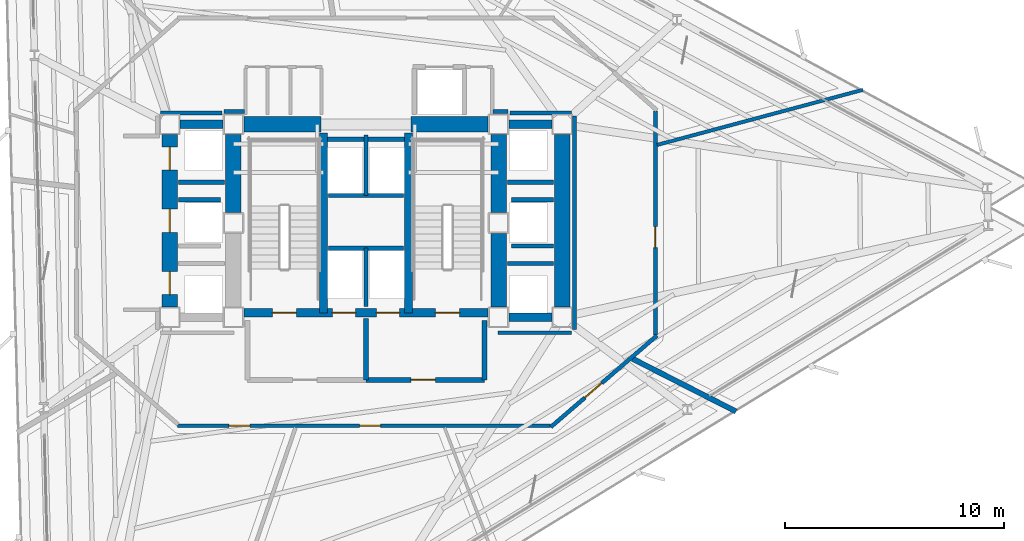
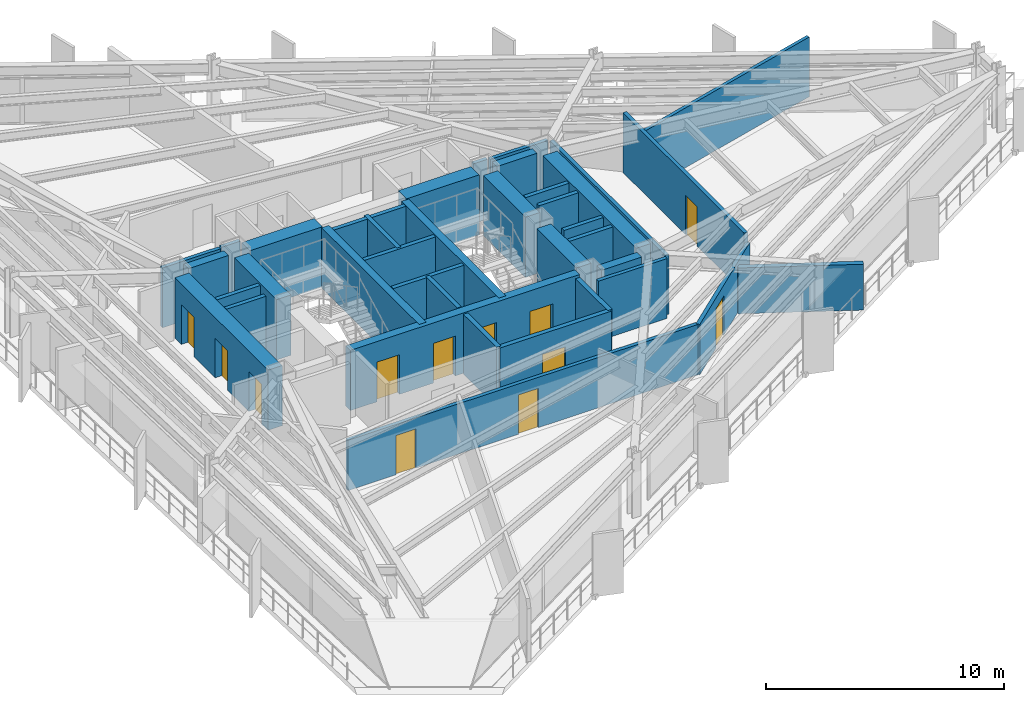
# One storey, part 8 of 14: 38 walls, 12 doors, 12 openings.
"""IFC4 building model written with IfcOpenShell, lengths in metres."""

from ifc_helpers import new_model, si_unit, direction, frame, frame_2d, origin, place, context, subcontext, project, spatial, rectangle, extrude, material, layer, layer_set, type_object, element, fill, save


model = new_model("IFC4")

# Units and contexts
model_context = context("Model", 3, precision=1e-05, world=origin(), true_north=direction((0.0, 1.0)))
body_context = subcontext(model_context, "Body", "Model", "MODEL_VIEW")
ifc_project = project(units=[si_unit("LENGTHUNIT", "METRE"), si_unit("AREAUNIT", "SQUARE_METRE"), si_unit("VOLUMEUNIT", "CUBIC_METRE"), si_unit("PLANEANGLEUNIT", "RADIAN"), si_unit("MASSUNIT", "GRAM", prefix="KILO")], contexts=[model_context])

# Site, building, storey
site_placement = place(None, origin())
site = spatial("IfcSite", under=ifc_project, at=site_placement, CompositionType="ELEMENT")
building_placement = place(site_placement, origin())
building = spatial("IfcBuilding", under=site, at=building_placement, Name="Rocaltana Carrier Exchange", CompositionType="ELEMENT")
storey_placement = place(building_placement, frame((0.0, 0.0, 32.320068359375)))
storey = spatial("IfcBuildingStorey", under=building, at=storey_placement, Name="L10", CompositionType="ELEMENT", Elevation=32.320068359375)

# Walls
ifc_material_1 = material(Name="Double Acoustic Gypsum Partition", Category="gypsum")
ifc_layer_1 = layer(ifc_material_1, 0.159912109375)
ifc_layer_set_1 = layer_set([ifc_layer_1], Name="Double Acoustic Gypsum Partition")
wall_type_1 = type_object("IfcWallType", Name="Acoustic Studio Partition 160 EI60", PredefinedType="PARTITIONING", material=ifc_layer_set_1)
wall_1_placement = place(storey_placement, frame((13.280029296875, 3.558349609375, 0.0), z_axis=(0.0, 0.0, 1.0), x_axis=(0.965926641133, 0.258816004043, 0.0)))
element("IfcWall", 1, at=wall_1_placement, inside=storey, type_object=wall_type_1, Name="L10 Suite Divider Wall D5", PredefinedType="PARTITIONING", context=body_context, shape_type="SweptSolid", body=[
    extrude(rectangle(XDim=9.7216796875, YDim=0.159912109375, at=frame_2d((4.86083984375, 0.0))), origin(), (0.0, 0.0, 1.0), 3.072998046875),
])
ifc_material_2 = material(Name="Concrete C50/60", Category="concrete")
ifc_layer_2 = layer(ifc_material_2, 0.35009765625)
ifc_layer_set_2 = layer_set([ifc_layer_2], Name="Concrete C50/60")
wall_type_2 = type_object("IfcWallType", Name="Core Internal Shear Wall 350", PredefinedType="SHEAR", material=ifc_layer_set_2)
for number, where, z_axis, x_axis, name in (
    (2, (-1.93994140625, -4.10009765625, 0.0), (0.0, 0.0, 1.0), (0.0, 1.0, 0.0), "L10 Core Shear Wall CW-STW"),
    (3, (1.93994140625, -4.10009765625, 0.0), (0.0, 0.0, 1.0), (0.0, 1.0, 0.0), "L10 Core Shear Wall CW-STE"),
):
    element("IfcWall", number, at=place(storey_placement, frame(where, z_axis=z_axis, x_axis=x_axis)), inside=storey, type_object=wall_type_2, Name=name, PredefinedType="SHEAR", context=body_context, shape_type="SweptSolid", body=[
        extrude(rectangle(XDim=8.2001953125, YDim=0.35009765625, at=frame_2d((4.10009765625, 0.0))), origin(), (0.0, 0.0, 1.0), 3.097900390625),
    ])

# Wall, openings, doors
ifc_material_3 = material(Name="Concrete C50/60", Category="concrete")
ifc_layer_3 = layer(ifc_material_3, 0.39990234375)
ifc_layer_set_3 = layer_set([ifc_layer_3], Name="Concrete C50/60")
wall_type_3 = type_object("IfcWallType", Name="Core Internal Shear Wall 400", PredefinedType="SHEAR", material=ifc_layer_set_3)
wall_2_placement = place(storey_placement, frame((-5.574951171875, -4.10009765625, 0.0), z_axis=(0.0, 0.0, 1.0), x_axis=(1.0, 0.0, 0.0)))
wall_2 = element("IfcWall", 4, at=wall_2_placement, inside=storey, type_object=wall_type_3, Name="L10 Core Shear Wall CW-S", PredefinedType="SHEAR", context=body_context, shape_type="SweptSolid", body=[
    extrude(rectangle(XDim=11.14990234375, YDim=0.39990234375, at=frame_2d((5.574951171875, 0.0))), origin(), (0.0, 0.0, 1.0), 3.097900390625),
])
opening_1_placement = place(wall_2_placement, frame((1.304931640625, 0.0, 0.0)))
opening_1 = element("IfcOpeningElement", 5, at=opening_1_placement, cuts=wall_2, Name="Opening D-ST110", PredefinedType="OPENING", context=body_context, shape_type="SweptSolid", body=[
    extrude(rectangle(XDim=1.10009765625, YDim=2.0400390625, at=frame_2d((0.550048828125, 1.02001953125))), frame((0.0, 0.2099609375, 0.0), z_axis=(0.0, -1.0, 0.0), x_axis=(1.0, 0.0, 0.0)), (0.0, 0.0, 1.0), 0.419921875),
])
opening_2_placement = place(wall_2_placement, frame((8.7451171875, 0.0, 0.0)))
opening_2 = element("IfcOpeningElement", 6, at=opening_2_placement, cuts=wall_2, Name="Opening D-ST110", PredefinedType="OPENING", context=body_context, shape_type="SweptSolid", body=[
    extrude(rectangle(XDim=1.10009765625, YDim=2.0400390625, at=frame_2d((0.550048828125, 1.02001953125))), frame((0.0, 0.2099609375, 0.0), z_axis=(0.0, -1.0, 0.0), x_axis=(1.0, 0.0, 0.0)), (0.0, 0.0, 1.0), 0.419921875),
])
opening_3_placement = place(wall_2_placement, frame((4.044921875, 0.0, 0.0)))
opening_3 = element("IfcOpeningElement", 7, at=opening_3_placement, cuts=wall_2, Name="Opening LD-110", PredefinedType="OPENING", context=body_context, shape_type="SweptSolid", body=[
    extrude(rectangle(XDim=1.06005859375, YDim=2.0400390625, at=frame_2d((0.530029296875, 1.02001953125))), frame((0.0, 0.2099609375, 0.0), z_axis=(0.0, -1.0, 0.0), x_axis=(1.0, 0.0, 0.0)), (0.0, 0.0, 1.0), 0.419921875),
])
opening_4_placement = place(wall_2_placement, frame((6.044921875, 0.0, 0.0)))
opening_4 = element("IfcOpeningElement", 8, at=opening_4_placement, cuts=wall_2, Name="Opening LD-110", PredefinedType="OPENING", context=body_context, shape_type="SweptSolid", body=[
    extrude(rectangle(XDim=1.06005859375, YDim=2.0400390625, at=frame_2d((0.530029296875, 1.02001953125))), frame((0.0, 0.2099609375, 0.0), z_axis=(0.0, -1.0, 0.0), x_axis=(1.0, 0.0, 0.0)), (0.0, 0.0, 1.0), 0.419921875),
])
ifc_material_4 = material(Name="Hollow Metal Fire Door Assembly", Category="steel")
door_type_1 = type_object("IfcDoorType", Name="Exit Stair Fire Door 1100x2040 FD90S", OperationType="NOTDEFINED", PredefinedType="DOOR", material=ifc_material_4)
door_1_placement = place(opening_1_placement, origin())
door_1 = element("IfcDoor", 9, at=door_1_placement, inside=storey, type_object=door_type_1, Name="L10 Exit Stair ST1 Fire Door", OperationType="SINGLE_SWING_RIGHT", OverallHeight=2.0400390625, OverallWidth=1.10009765625, PredefinedType="DOOR", context=body_context, shape_type="SweptSolid", body=[
    extrude(rectangle(XDim=1.10009765625, YDim=2.0400390625, at=frame_2d((0.550048828125, 1.02001953125))), frame((0.0, 0.02490234375, 0.0), z_axis=(0.0, -1.0, 0.0), x_axis=(1.0, 0.0, 0.0)), (0.0, 0.0, 1.0), 0.050048828125),
])
fill(opening_1, door_1)
door_2_placement = place(opening_2_placement, origin())
door_2 = element("IfcDoor", 10, at=door_2_placement, inside=storey, type_object=door_type_1, Name="L10 Exit Stair ST2 Fire Door", OperationType="SINGLE_SWING_LEFT", OverallHeight=2.0400390625, OverallWidth=1.10009765625, PredefinedType="DOOR", context=body_context, shape_type="SweptSolid", body=[
    extrude(rectangle(XDim=1.10009765625, YDim=2.0400390625, at=frame_2d((0.550048828125, 1.02001953125))), frame((0.0, 0.02490234375, 0.0), z_axis=(0.0, -1.0, 0.0), x_axis=(1.0, 0.0, 0.0)), (0.0, 0.0, 1.0), 0.050048828125),
])
fill(opening_2, door_2)
ifc_material_5 = material(Name="Brushed Stainless Sliding Door Leaf", Category="steel")
door_type_2 = type_object("IfcDoorType", Name="Lift Landing Sliding Door 1060x2040", OperationType="NOTDEFINED", PredefinedType="DOOR", material=ifc_material_5)
door_3_placement = place(opening_3_placement, origin())
door_3 = element("IfcDoor", 11, at=door_3_placement, inside=storey, type_object=door_type_2, Name="L10 Firefighting Lift FFL1 Landing Door", OperationType="SLIDING_TO_LEFT", OverallHeight=2.0400390625, OverallWidth=1.06005859375, PredefinedType="DOOR", context=body_context, shape_type="SweptSolid", body=[
    extrude(rectangle(XDim=1.06005859375, YDim=2.0400390625, at=frame_2d((0.530029296875, 1.02001953125))), frame((0.0, 0.02490234375, 0.0), z_axis=(0.0, -1.0, 0.0), x_axis=(1.0, 0.0, 0.0)), (0.0, 0.0, 1.0), 0.050048828125),
])
fill(opening_3, door_3)
door_4_placement = place(opening_4_placement, origin())
door_4 = element("IfcDoor", 12, at=door_4_placement, inside=storey, type_object=door_type_2, Name="L10 Firefighting Lift FFL2 Landing Door", OperationType="SLIDING_TO_RIGHT", OverallHeight=2.0400390625, OverallWidth=1.06005859375, PredefinedType="DOOR", context=body_context, shape_type="SweptSolid", body=[
    extrude(rectangle(XDim=1.06005859375, YDim=2.0400390625, at=frame_2d((0.530029296875, 1.02001953125))), frame((0.0, 0.02490234375, 0.0), z_axis=(0.0, -1.0, 0.0), x_axis=(1.0, 0.0, 0.0)), (0.0, 0.0, 1.0), 0.050048828125),
])
fill(opening_4, door_4)

# Walls
for number, where, z_axis, x_axis, name in (
    (13, (-8.47509765625, 4.5, 0.0), (0.0, 0.0, 1.0), (1.0, 0.0, 0.0), "L10 Core Shear Wall CW-WWN"),
    (14, (6.52490234375, 4.5, 0.0), (0.0, 0.0, 1.0), (1.0, 0.0, 0.0), "L10 Core Shear Wall CW-EWN"),
    (15, (6.52490234375, -4.300048828125, 0.0), (0.0, 0.0, 1.0), (1.0, 0.0, 0.0), "L10 Core Shear Wall CW-EWS"),
):
    element("IfcWall", number, at=place(storey_placement, frame(where, z_axis=z_axis, x_axis=x_axis)), inside=storey, type_object=wall_type_3, Name=name, PredefinedType="SHEAR", context=body_context, shape_type="SweptSolid", body=[
        extrude(rectangle(XDim=1.9501953125, YDim=0.39990234375, at=frame_2d((0.97509765625, 0.0))), origin(), (0.0, 0.0, 1.0), 3.097900390625),
    ])
ifc_material_6 = material(Name="Concrete C60/75", Category="concrete")
ifc_layer_4 = layer(ifc_material_6, 0.699951171875)
ifc_layer_set_4 = layer_set([ifc_layer_4], Name="Concrete C60/75")
wall_type_4 = type_object("IfcWallType", Name="Core Shear Wall 700", PredefinedType="SHEAR", material=ifc_layer_set_4)
for number, where, z_axis, x_axis, name in (
    (16, (-6.050048828125, 0.47509765625, 0.0), (0.0, 0.0, 1.0), (0.0, 1.0, 0.0), "L10 Core Shear Wall CW-WN"),
    (17, (6.050048828125, 0.47509765625, 0.0), (0.0, 0.0, 1.0), (0.0, 1.0, 0.0), "L10 Core Shear Wall CW-EN"),
):
    element("IfcWall", number, at=place(storey_placement, frame(where, z_axis=z_axis, x_axis=x_axis)), inside=storey, type_object=wall_type_4, Name=name, PredefinedType="SHEAR", context=body_context, shape_type="SweptSolid", body=[
        extrude(rectangle(XDim=3.5498046875, YDim=0.699951171875, at=frame_2d((1.77490234375, 0.0))), origin(), (0.0, 0.0, 1.0), 3.097900390625),
    ])
wall_3_placement = place(storey_placement, frame((6.050048828125, -3.824951171875, 0.0), z_axis=(0.0, 0.0, 1.0), x_axis=(0.0, 1.0, 0.0)))
element("IfcWall", 18, at=wall_3_placement, inside=storey, type_object=wall_type_4, Name="L10 Core Shear Wall CW-ES", PredefinedType="SHEAR", context=body_context, shape_type="SweptSolid", body=[
    extrude(rectangle(XDim=3.349853515625, YDim=0.699951171875, at=frame_2d((1.6748046875, 0.0))), origin(), (0.0, 0.0, 1.0), 3.097900390625),
])
for number, where, z_axis, x_axis, name in (
    (19, (-5.574951171875, 4.5, 0.0), (0.0, 0.0, 1.0), (1.0, 0.0, 0.0), "L10 Core Shear Wall CW-N1"),
    (20, (2.050048828125, 4.5, 0.0), (0.0, 0.0, 1.0), (1.0, 0.0, 0.0), "L10 Core Shear Wall CW-N2"),
):
    element("IfcWall", number, at=place(storey_placement, frame(where, z_axis=z_axis, x_axis=x_axis)), inside=storey, type_object=wall_type_4, Name=name, PredefinedType="SHEAR", context=body_context, shape_type="SweptSolid", body=[
        extrude(rectangle(XDim=3.52490234375, YDim=0.699951171875, at=frame_2d((1.762451171875, 0.0))), origin(), (0.0, 0.0, 1.0), 3.097900390625),
    ])

# Wall, openings, doors
wall_4_placement = place(storey_placement, frame((-8.949951171875, -3.824951171875, 0.0), z_axis=(0.0, 0.0, 1.0), x_axis=(0.0, 1.0, 0.0)))
wall_4 = element("IfcWall", 21, at=wall_4_placement, inside=storey, type_object=wall_type_4, Name="L10 Core Shear Wall CW-WW", PredefinedType="SHEAR", context=body_context, shape_type="SweptSolid", body=[
    extrude(rectangle(XDim=7.849853515625, YDim=0.699951171875, at=frame_2d((3.9248046875, 0.0))), origin(), (0.0, 0.0, 1.0), 3.097900390625),
])
opening_5_placement = place(wall_4_placement, frame((0.550048828125, 0.0, 0.0)))
opening_5 = element("IfcOpeningElement", 22, at=opening_5_placement, cuts=wall_4, Name="Opening LD-110", PredefinedType="OPENING", context=body_context, shape_type="SweptSolid", body=[
    extrude(rectangle(XDim=1.06005859375, YDim=2.0400390625, at=frame_2d((0.530029296875, 1.02001953125))), frame((0.0, 0.35986328125, 0.0), z_axis=(0.0, -1.0, 0.0), x_axis=(1.0, 0.0, 0.0)), (0.0, 0.0, 1.0), 0.719970703125),
])
opening_6_placement = place(wall_4_placement, frame((3.39501953125, 0.0, 0.0)))
opening_6 = element("IfcOpeningElement", 23, at=opening_6_placement, cuts=wall_4, Name="Opening LD-110", PredefinedType="OPENING", context=body_context, shape_type="SweptSolid", body=[
    extrude(rectangle(XDim=1.06005859375, YDim=2.0400390625, at=frame_2d((0.530029296875, 1.02001953125))), frame((0.0, 0.35986328125, 0.0), z_axis=(0.0, -1.0, 0.0), x_axis=(1.0, 0.0, 0.0)), (0.0, 0.0, 1.0), 0.719970703125),
])
opening_7_placement = place(wall_4_placement, frame((6.22998046875, 0.0, 0.0)))
opening_7 = element("IfcOpeningElement", 24, at=opening_7_placement, cuts=wall_4, Name="Opening LD-110", PredefinedType="OPENING", context=body_context, shape_type="SweptSolid", body=[
    extrude(rectangle(XDim=1.06005859375, YDim=2.0400390625, at=frame_2d((0.530029296875, 1.02001953125))), frame((0.0, 0.35986328125, 0.0), z_axis=(0.0, -1.0, 0.0), x_axis=(1.0, 0.0, 0.0)), (0.0, 0.0, 1.0), 0.719970703125),
])
door_5_placement = place(opening_5_placement, origin())
door_5 = element("IfcDoor", 25, at=door_5_placement, inside=storey, type_object=door_type_2, Name="L10 Low-Rise Lift PL-L1 Landing Door", OperationType="SLIDING_TO_LEFT", OverallHeight=2.0400390625, OverallWidth=1.06005859375, PredefinedType="DOOR", context=body_context, shape_type="SweptSolid", body=[
    extrude(rectangle(XDim=1.06005859375, YDim=2.0400390625, at=frame_2d((0.530029296875, 1.02001953125))), frame((0.0, 0.02490234375, 0.0), z_axis=(0.0, -1.0, 0.0), x_axis=(1.0, 0.0, 0.0)), (0.0, 0.0, 1.0), 0.050048828125),
])
fill(opening_5, door_5)
door_6_placement = place(opening_6_placement, origin())
door_6 = element("IfcDoor", 26, at=door_6_placement, inside=storey, type_object=door_type_2, Name="L10 Low-Rise Lift PL-L2 Landing Door", OperationType="SLIDING_TO_RIGHT", OverallHeight=2.0400390625, OverallWidth=1.06005859375, PredefinedType="DOOR", context=body_context, shape_type="SweptSolid", body=[
    extrude(rectangle(XDim=1.06005859375, YDim=2.0400390625, at=frame_2d((0.530029296875, 1.02001953125))), frame((0.0, 0.02490234375, 0.0), z_axis=(0.0, -1.0, 0.0), x_axis=(1.0, 0.0, 0.0)), (0.0, 0.0, 1.0), 0.050048828125),
])
fill(opening_6, door_6)
door_7_placement = place(opening_7_placement, origin())
door_7 = element("IfcDoor", 27, at=door_7_placement, inside=storey, type_object=door_type_2, Name="L10 Low-Rise Lift PL-L3 Landing Door", OperationType="SLIDING_TO_LEFT", OverallHeight=2.0400390625, OverallWidth=1.06005859375, PredefinedType="DOOR", context=body_context, shape_type="SweptSolid", body=[
    extrude(rectangle(XDim=1.06005859375, YDim=2.0400390625, at=frame_2d((0.530029296875, 1.02001953125))), frame((0.0, 0.02490234375, 0.0), z_axis=(0.0, -1.0, 0.0), x_axis=(1.0, 0.0, 0.0)), (0.0, 0.0, 1.0), 0.050048828125),
])
fill(opening_7, door_7)

# Wall
wall_5_placement = place(storey_placement, frame((8.949951171875, -3.824951171875, 0.0), z_axis=(0.0, 0.0, 1.0), x_axis=(0.0, 1.0, 0.0)))
element("IfcWall", 28, at=wall_5_placement, inside=storey, type_object=wall_type_4, Name="L10 Core Shear Wall CW-EW", PredefinedType="SHEAR", context=body_context, shape_type="SweptSolid", body=[
    extrude(rectangle(XDim=7.849853515625, YDim=0.699951171875, at=frame_2d((3.9248046875, 0.0))), origin(), (0.0, 0.0, 1.0), 3.097900390625),
])

# Wall, opening, door
ifc_material_7 = material(Name="Gypsum & Steel Stud Partition", Category="steel")
ifc_layer_5 = layer(ifc_material_7, 0.179931640625)
ifc_layer_set_5 = layer_set([ifc_layer_5], Name="Gypsum & Steel Stud Partition")
wall_type_5 = type_object("IfcWallType", Name="Corridor Fire Partition 180 EI60", PredefinedType="PARTITIONING", material=ifc_layer_set_5)
wall_6_placement = place(storey_placement, frame((13.199951171875, 5.110107421875, 0.0), z_axis=(0.0, 0.0, 1.0), x_axis=(0.0, -1.0, 0.0)))
wall_6 = element("IfcWall", 29, at=wall_6_placement, inside=storey, type_object=wall_type_5, Name="L10 Corridor Partition 3", PredefinedType="PARTITIONING", context=body_context, shape_type="SweptSolid", body=[
    extrude(rectangle(XDim=10.22021484375, YDim=0.179931640625, at=frame_2d((5.110107421875, 0.0))), origin(), (0.0, 0.0, 1.0), 3.072998046875),
])
opening_8_placement = place(wall_6_placement, frame((5.27685546875, 0.0, 0.0)))
opening_8 = element("IfcOpeningElement", 30, at=opening_8_placement, cuts=wall_6, Name="Opening D-RM098", PredefinedType="OPENING", context=body_context, shape_type="SweptSolid", body=[
    extrude(rectangle(XDim=0.9599609375, YDim=2.02001953125, at=frame_2d((0.47998046875, 1.010009765625))), frame((0.0, 0.099853515625, 0.0), z_axis=(0.0, -1.0, 0.0), x_axis=(1.0, 0.0, 0.0)), (0.0, 0.0, 1.0), 0.199951171875),
])
ifc_material_8 = material(Name="Engineered Hardwood Timber", Category="wood")
door_type_3 = type_object("IfcDoorType", Name="Workspace Single Door 960x2020", OperationType="NOTDEFINED", PredefinedType="DOOR", material=ifc_material_8)
door_8_placement = place(opening_8_placement, origin())
door_8 = element("IfcDoor", 31, at=door_8_placement, inside=storey, type_object=door_type_3, Name="L10 Executive Peering Boardroom Entrance Door", OperationType="SINGLE_SWING_RIGHT", OverallHeight=2.02001953125, OverallWidth=0.9599609375, PredefinedType="DOOR", context=body_context, shape_type="SweptSolid", body=[
    extrude(rectangle(XDim=0.9599609375, YDim=2.02001953125, at=frame_2d((0.47998046875, 1.010009765625))), frame((0.0, 0.02490234375, 0.0), z_axis=(0.0, -1.0, 0.0), x_axis=(1.0, 0.0, 0.0)), (0.0, 0.0, 1.0), 0.050048828125),
])
fill(opening_8, door_8)

wall_7_placement = place(storey_placement, frame((13.268310546875, -5.14111328125, 0.0), z_axis=(0.0, 0.0, 1.0), x_axis=(-0.757534501725, -0.65279512766, 0.0)))
wall_7 = element("IfcWall", 32, at=wall_7_placement, inside=storey, type_object=wall_type_5, Name="L10 Corridor Partition 4", PredefinedType="PARTITIONING", context=body_context, shape_type="SweptSolid", body=[
    extrude(rectangle(XDim=6.384521484375, YDim=0.179931640625, at=frame_2d((3.1923828125, 0.0))), origin(), (0.0, 0.0, 1.0), 2.5869140625),
])
opening_9_placement = place(wall_7_placement, frame((3.315673828125, 0.0, 0.0)))
opening_9 = element("IfcOpeningElement", 33, at=opening_9_placement, cuts=wall_7, Name="Opening D-LB104", PredefinedType="OPENING", context=body_context, shape_type="SweptSolid", body=[
    extrude(rectangle(XDim=1.02001953125, YDim=2.02001953125, at=frame_2d((0.510009765625, 1.010009765625))), frame((0.0, 0.099853515625, 0.0), z_axis=(0.0, -1.0, 0.0), x_axis=(1.0, 0.0, 0.0)), (0.0, 0.0, 1.0), 0.199951171875),
])
ifc_material_9 = material(Name="Powder-Coated Aluminium 6063-T6", Category="aluminium")
door_type_4 = type_object("IfcDoorType", Name="Laboratory Acoustic Door 1020x2020", OperationType="NOTDEFINED", PredefinedType="DOOR", material=ifc_material_9)
door_9_placement = place(opening_9_placement, origin())
door_9 = element("IfcDoor", 34, at=door_9_placement, inside=storey, type_object=door_type_4, Name="L10 Optical Switching Laboratory Entrance Door", OperationType="SINGLE_SWING_LEFT", OverallHeight=2.02001953125, OverallWidth=1.02001953125, PredefinedType="DOOR", context=body_context, shape_type="SweptSolid", body=[
    extrude(rectangle(XDim=1.02001953125, YDim=2.02001953125, at=frame_2d((0.510009765625, 1.010009765625))), frame((0.0, 0.02490234375, 0.0), z_axis=(0.0, -1.0, 0.0), x_axis=(1.0, 0.0, 0.0)), (0.0, 0.0, 1.0), 0.050048828125),
])
fill(opening_9, door_9)

# Wall, openings, doors
wall_8_placement = place(storey_placement, frame((8.409912109375, -9.25, 0.0), z_axis=(0.0, 0.0, 1.0), x_axis=(-1.0, 0.0, 0.0)))
wall_8 = element("IfcWall", 35, at=wall_8_placement, inside=storey, type_object=wall_type_5, Name="L10 Corridor Partition 5", PredefinedType="PARTITIONING", context=body_context, shape_type="SweptSolid", body=[
    extrude(rectangle(XDim=17.0, YDim=0.179931640625, at=frame_2d((8.5, 0.0))), origin(), (0.0, 0.0, 1.0), 2.5869140625),
])
opening_10_placement = place(wall_8_placement, frame((13.703369140625, 0.0, 0.0)))
opening_10 = element("IfcOpeningElement", 36, at=opening_10_placement, cuts=wall_8, Name="Opening D-RM098", PredefinedType="OPENING", context=body_context, shape_type="SweptSolid", body=[
    extrude(rectangle(XDim=0.9599609375, YDim=2.02001953125, at=frame_2d((0.47998046875, 1.010009765625))), frame((0.0, 0.099853515625, 0.0), z_axis=(0.0, -1.0, 0.0), x_axis=(1.0, 0.0, 0.0)), (0.0, 0.0, 1.0), 0.199951171875),
])
opening_11_placement = place(wall_8_placement, frame((7.745361328125, 0.0, 0.0)))
opening_11 = element("IfcOpeningElement", 37, at=opening_11_placement, cuts=wall_8, Name="Opening D-RM098", PredefinedType="OPENING", context=body_context, shape_type="SweptSolid", body=[
    extrude(rectangle(XDim=0.9599609375, YDim=2.02001953125, at=frame_2d((0.47998046875, 1.010009765625))), frame((0.0, 0.099853515625, 0.0), z_axis=(0.0, -1.0, 0.0), x_axis=(1.0, 0.0, 0.0)), (0.0, 0.0, 1.0), 0.199951171875),
])
door_10_placement = place(opening_10_placement, origin())
door_10 = element("IfcDoor", 38, at=door_10_placement, inside=storey, type_object=door_type_3, Name="L10 Incident Briefing Room Entrance Door", OperationType="SINGLE_SWING_LEFT", OverallHeight=2.02001953125, OverallWidth=0.9599609375, PredefinedType="DOOR", context=body_context, shape_type="SweptSolid", body=[
    extrude(rectangle(XDim=0.9599609375, YDim=2.02001953125, at=frame_2d((0.47998046875, 1.010009765625))), frame((0.0, 0.02490234375, 0.0), z_axis=(0.0, -1.0, 0.0), x_axis=(1.0, 0.0, 0.0)), (0.0, 0.0, 1.0), 0.050048828125),
])
fill(opening_10, door_10)
door_11_placement = place(opening_11_placement, origin())
door_11 = element("IfcDoor", 39, at=door_11_placement, inside=storey, type_object=door_type_3, Name="L10 Peering Conference Room Entrance Door", OperationType="SINGLE_SWING_RIGHT", OverallHeight=2.02001953125, OverallWidth=0.9599609375, PredefinedType="DOOR", context=body_context, shape_type="SweptSolid", body=[
    extrude(rectangle(XDim=0.9599609375, YDim=2.02001953125, at=frame_2d((0.47998046875, 1.010009765625))), frame((0.0, 0.02490234375, 0.0), z_axis=(0.0, -1.0, 0.0), x_axis=(1.0, 0.0, 0.0)), (0.0, 0.0, 1.0), 0.050048828125),
])
fill(opening_11, door_11)

# Walls
wall_9_placement = place(storey_placement, frame((6.030029296875, -5.010009765625, 0.0), z_axis=(0.0, 0.0, 1.0), x_axis=(1.0, 0.0, 0.0)))
element("IfcWall", 40, at=wall_9_placement, inside=storey, type_object=wall_type_5, Name="L10 Corridor Partition 16", PredefinedType="PARTITIONING", context=body_context, shape_type="SweptSolid", body=[
    extrude(rectangle(XDim=3.340087890625, YDim=0.179931640625, at=frame_2d((1.669921875, 0.0))), origin(), (0.0, 0.0, 1.0), 3.072998046875),
])
wall_10_placement = place(storey_placement, frame((9.510009765625, -4.8701171875, 0.0), z_axis=(0.0, 0.0, 1.0), x_axis=(0.0, 1.0, 0.0)))
element("IfcWall", 41, at=wall_10_placement, inside=storey, type_object=wall_type_5, Name="L10 Corridor Partition 17", PredefinedType="PARTITIONING", context=body_context, shape_type="SweptSolid", body=[
    extrude(rectangle(XDim=9.740234375, YDim=0.179931640625, at=frame_2d((4.8701171875, 0.0))), origin(), (0.0, 0.0, 1.0), 3.072998046875),
])
wall_11_placement = place(storey_placement, frame((9.3701171875, 5.010009765625, 0.0), z_axis=(0.0, 0.0, 1.0), x_axis=(-1.0, 0.0, 0.0)))
element("IfcWall", 42, at=wall_11_placement, inside=storey, type_object=wall_type_5, Name="L10 Corridor Partition 18", PredefinedType="PARTITIONING", context=body_context, shape_type="SweptSolid", body=[
    extrude(rectangle(XDim=2.807861328125, YDim=0.179931640625, at=frame_2d((1.40380859375, 0.0))), origin(), (0.0, 0.0, 1.0), 3.072998046875),
])
wall_12_placement = place(storey_placement, frame((6.469970703125, 5.080078125, 0.0), z_axis=(0.0, 0.0, 1.0), x_axis=(-1.0, 0.0, 0.0)))
element("IfcWall", 43, at=wall_12_placement, inside=storey, type_object=wall_type_5, Name="L10 Corridor Partition 19", PredefinedType="PARTITIONING", context=body_context, shape_type="SweptSolid", body=[
    extrude(rectangle(XDim=0.679931640625, YDim=0.179931640625, at=frame_2d((0.33984375, 0.0))), origin(), (0.0, 0.0, 1.0), 3.072998046875),
])
wall_13_placement = place(storey_placement, frame((-5.550048828125, 5.080078125, 0.0), z_axis=(0.0, 0.0, 1.0), x_axis=(-1.0, 0.0, 0.0)))
element("IfcWall", 44, at=wall_13_placement, inside=storey, type_object=wall_type_5, Name="L10 Corridor Partition 22", PredefinedType="PARTITIONING", context=body_context, shape_type="SweptSolid", body=[
    extrude(rectangle(XDim=0.919921875, YDim=0.179931640625, at=frame_2d((0.4599609375, 0.0))), origin(), (0.0, 0.0, 1.0), 3.072998046875),
])
wall_14_placement = place(storey_placement, frame((-6.562255859375, 5.010009765625, 0.0), z_axis=(0.0, 0.0, 1.0), x_axis=(-1.0, 0.0, 0.0)))
element("IfcWall", 45, at=wall_14_placement, inside=storey, type_object=wall_type_5, Name="L10 Corridor Partition 23", PredefinedType="PARTITIONING", context=body_context, shape_type="SweptSolid", body=[
    extrude(rectangle(XDim=2.807861328125, YDim=0.179931640625, at=frame_2d((1.40380859375, 0.0))), origin(), (0.0, 0.0, 1.0), 3.072998046875),
])
ifc_material_10 = material(Name="Autoclaved Aerated Concrete C30/37", Category="concrete")
ifc_layer_6 = layer(ifc_material_10, 0.219970703125)
ifc_layer_set_6 = layer_set([ifc_layer_6], Name="Autoclaved Aerated Concrete C30/37")
wall_type_6 = type_object("IfcWallType", Name="Firefighting Lobby Wall 220 EI120", PredefinedType="PARTITIONING", material=ifc_layer_set_6)
wall_15_placement = place(storey_placement, frame((5.39990234375, -7.159912109375, 0.0), z_axis=(0.0, 0.0, 1.0), x_axis=(0.0, 1.0, 0.0)))
element("IfcWall", 46, at=wall_15_placement, inside=storey, type_object=wall_type_6, Name="L10 FFL Lobby 2 East Wall", PredefinedType="PARTITIONING", context=body_context, shape_type="SweptSolid", body=[
    extrude(rectangle(XDim=2.7099609375, YDim=0.219970703125, at=frame_2d((1.35498046875, 0.0))), origin(), (0.0, 0.0, 1.0), 3.072998046875),
])
wall_16_placement = place(storey_placement, frame((0.0, -7.159912109375, 0.0), z_axis=(0.0, 0.0, 1.0), x_axis=(0.0, 1.0, 0.0)))
element("IfcWall", 47, at=wall_16_placement, inside=storey, type_object=wall_type_6, Name="L10 FFL Lobby Centre Wall", PredefinedType="PARTITIONING", context=body_context, shape_type="SweptSolid", body=[
    extrude(rectangle(XDim=2.809814453125, YDim=0.219970703125, at=frame_2d((1.40478515625, 0.0))), origin(), (0.0, 0.0, 1.0), 3.072998046875),
])

# Wall, opening, door
wall_17_placement = place(storey_placement, frame((0.0, -7.159912109375, 0.0), z_axis=(0.0, 0.0, 1.0), x_axis=(1.0, 0.0, 0.0)))
wall_17 = element("IfcWall", 48, at=wall_17_placement, inside=storey, type_object=wall_type_6, Name="L10 FFL Lobby 2 South Wall", PredefinedType="PARTITIONING", context=body_context, shape_type="SweptSolid", body=[
    extrude(rectangle(XDim=5.39990234375, YDim=0.219970703125, at=frame_2d((2.699951171875, 0.0))), origin(), (0.0, 0.0, 1.0), 3.072998046875),
])
opening_12_placement = place(wall_17_placement, frame((2.050048828125, 0.0, 0.0)))
opening_12 = element("IfcOpeningElement", 49, at=opening_12_placement, cuts=wall_17, Name="Opening D-FF115", PredefinedType="OPENING", context=body_context, shape_type="SweptSolid", body=[
    extrude(rectangle(XDim=1.1201171875, YDim=2.02001953125, at=frame_2d((0.56005859375, 1.010009765625))), frame((0.0, 0.119873046875, 0.0), z_axis=(0.0, -1.0, 0.0), x_axis=(1.0, 0.0, 0.0)), (0.0, 0.0, 1.0), 0.239990234375),
])
ifc_material_11 = material(Name="Hollow Metal Fire Door Assembly", Category="steel")
door_type_5 = type_object("IfcDoorType", Name="Firefighting Lobby Door 1120x2020 FD60S", OperationType="NOTDEFINED", PredefinedType="DOOR", material=ifc_material_11)
door_12_placement = place(opening_12_placement, origin())
door_12 = element("IfcDoor", 50, at=door_12_placement, inside=storey, type_object=door_type_5, Name="L10 Firefighting Lift Lobby 2 Door", OperationType="SINGLE_SWING_LEFT", OverallHeight=2.02001953125, OverallWidth=1.1201171875, PredefinedType="DOOR", context=body_context, shape_type="SweptSolid", body=[
    extrude(rectangle(XDim=1.1201171875, YDim=2.02001953125, at=frame_2d((0.56005859375, 1.010009765625))), frame((0.0, 0.02490234375, 0.0), z_axis=(0.0, -1.0, 0.0), x_axis=(1.0, 0.0, 0.0)), (0.0, 0.0, 1.0), 0.050048828125),
])
fill(opening_12, door_12)

# Walls
ifc_material_12 = material(Name="Acoustic Calcium Silicate Partition", Category="gypsum")
ifc_layer_7 = layer(ifc_material_12, 0.239990234375)
ifc_layer_set_7 = layer_set([ifc_layer_7], Name="Acoustic Calcium Silicate Partition")
wall_type_7 = type_object("IfcWallType", Name="Heavy Lab Partition 240 EI90", PredefinedType="PARTITIONING", material=ifc_layer_set_7)
wall_18_placement = place(storey_placement, frame((12.164306640625, -6.197998046875, 0.0), z_axis=(0.0, 0.0, 1.0), x_axis=(0.890999034188, -0.454005199394, 0.0)))
element("IfcWall", 51, at=wall_18_placement, inside=storey, type_object=wall_type_7, Name="L10 Suite Divider Wall D4", PredefinedType="PARTITIONING", context=body_context, shape_type="SweptSolid", body=[
    extrude(rectangle(XDim=5.295654296875, YDim=0.239990234375, at=frame_2d((2.64794921875, 0.0))), origin(), (0.0, 0.0, 1.0), 2.35791015625),
])
ifc_material_13 = material(Name="Reinforced Concrete Block C35/45", Category="concrete")
ifc_layer_8 = layer(ifc_material_13, 0.199951171875)
ifc_layer_set_8 = layer_set([ifc_layer_8], Name="Reinforced Concrete Block C35/45")
wall_type_8 = type_object("IfcWallType", Name="Lift Hoistway Enclosure Wall 200 EI120", PredefinedType="PARTITIONING", material=ifc_layer_set_8)
wall_19_placement = place(storey_placement, frame((0.0, -3.820068359375, 0.0), z_axis=(0.0, 0.0, 1.0), x_axis=(0.0, 1.0, 0.0)))
element("IfcWall", 52, at=wall_19_placement, inside=storey, type_object=wall_type_8, Name="L10 FFL Shaft Divider", PredefinedType="PARTITIONING", context=body_context, shape_type="SweptSolid", body=[
    extrude(rectangle(XDim=2.670166015625, YDim=0.199951171875, at=frame_2d((1.3349609375, 0.0))), origin(), (0.0, 0.0, 1.0), 3.072998046875),
])
wall_20_placement = place(storey_placement, frame((-1.719970703125, -1.14990234375, 0.0), z_axis=(0.0, 0.0, 1.0), x_axis=(1.0, 0.0, 0.0)))
element("IfcWall", 53, at=wall_20_placement, inside=storey, type_object=wall_type_8, Name="L10 FFL Shaft Back Wall", PredefinedType="PARTITIONING", context=body_context, shape_type="SweptSolid", body=[
    extrude(rectangle(XDim=3.43994140625, YDim=0.199951171875, at=frame_2d((1.719970703125, 0.0))), origin(), (0.0, 0.0, 1.0), 3.072998046875),
])
wall_21_placement = place(storey_placement, frame((0.0, 1.25, 0.0), z_axis=(0.0, 0.0, 1.0), x_axis=(0.0, 1.0, 0.0)))
element("IfcWall", 54, at=wall_21_placement, inside=storey, type_object=wall_type_8, Name="L10 High-Rise Shaft Divider", PredefinedType="PARTITIONING", context=body_context, shape_type="SweptSolid", body=[
    extrude(rectangle(XDim=2.77001953125, YDim=0.199951171875, at=frame_2d((1.385009765625, 0.0))), origin(), (0.0, 0.0, 1.0), 3.072998046875),
])
wall_22_placement = place(storey_placement, frame((-1.719970703125, 1.25, 0.0), z_axis=(0.0, 0.0, 1.0), x_axis=(1.0, 0.0, 0.0)))
element("IfcWall", 55, at=wall_22_placement, inside=storey, type_object=wall_type_8, Name="L10 High-Rise Shaft Back Wall", PredefinedType="PARTITIONING", context=body_context, shape_type="SweptSolid", body=[
    extrude(rectangle(XDim=3.43994140625, YDim=0.199951171875, at=frame_2d((1.719970703125, 0.0))), origin(), (0.0, 0.0, 1.0), 3.072998046875),
])
wall_23_placement = place(storey_placement, frame((-1.760009765625, 3.820068359375, 0.0), z_axis=(0.0, 0.0, 1.0), x_axis=(1.0, 0.0, 0.0)))
element("IfcWall", 56, at=wall_23_placement, inside=storey, type_object=wall_type_8, Name="L10 High-Rise Lift Front Wall", PredefinedType="PARTITIONING", context=body_context, shape_type="SweptSolid", body=[
    extrude(rectangle(XDim=3.52001953125, YDim=0.199951171875, at=frame_2d((1.760009765625, 0.0))), origin(), (0.0, 0.0, 1.0), 3.072998046875),
])
wall_24_placement = place(storey_placement, frame((-8.550048828125, 1.85009765625, 0.0), z_axis=(0.0, 0.0, 1.0), x_axis=(1.0, 0.0, 0.0)))
element("IfcWall", 57, at=wall_24_placement, inside=storey, type_object=wall_type_8, Name="L10 Low-Rise Shaft Divider 2", PredefinedType="PARTITIONING", context=body_context, shape_type="SweptSolid", body=[
    extrude(rectangle(XDim=2.10009765625, YDim=0.199951171875, at=frame_2d((1.050048828125, 0.0))), origin(), (0.0, 0.0, 1.0), 3.072998046875),
])
wall_25_placement = place(storey_placement, frame((-8.550048828125, 1.050048828125, 0.0), z_axis=(0.0, 0.0, 1.0), x_axis=(1.0, 0.0, 0.0)))
element("IfcWall", 58, at=wall_25_placement, inside=storey, type_object=wall_type_8, Name="L10 Low-Rise Center Shaft Wall North", PredefinedType="PARTITIONING", context=body_context, shape_type="SweptSolid", body=[
    extrude(rectangle(XDim=1.91015625, YDim=0.199951171875, at=frame_2d((0.955078125, 0.0))), origin(), (0.0, 0.0, 1.0), 3.072998046875),
])
for number, where, z_axis, x_axis, name in (
    (59, (6.449951171875, -1.85009765625, 0.0), (0.0, 0.0, 1.0), (1.0, 0.0, 0.0), "L10 Mid-Rise Shaft Divider 1"),
    (60, (6.449951171875, 1.85009765625, 0.0), (0.0, 0.0, 1.0), (1.0, 0.0, 0.0), "L10 Mid-Rise Shaft Divider 2"),
):
    element("IfcWall", number, at=place(storey_placement, frame(where, z_axis=z_axis, x_axis=x_axis)), inside=storey, type_object=wall_type_8, Name=name, PredefinedType="PARTITIONING", context=body_context, shape_type="SweptSolid", body=[
        extrude(rectangle(XDim=2.10009765625, YDim=0.199951171875, at=frame_2d((1.050048828125, 0.0))), origin(), (0.0, 0.0, 1.0), 3.072998046875),
    ])
for number, where, z_axis, x_axis, name in (
    (61, (6.639892578125, -1.050048828125, 0.0), (0.0, 0.0, 1.0), (1.0, 0.0, 0.0), "L10 Mid-Rise Center Shaft Wall South"),
    (62, (6.639892578125, 1.050048828125, 0.0), (0.0, 0.0, 1.0), (1.0, 0.0, 0.0), "L10 Mid-Rise Center Shaft Wall North"),
):
    element("IfcWall", number, at=place(storey_placement, frame(where, z_axis=z_axis, x_axis=x_axis)), inside=storey, type_object=wall_type_8, Name=name, PredefinedType="PARTITIONING", context=body_context, shape_type="SweptSolid", body=[
        extrude(rectangle(XDim=1.91015625, YDim=0.199951171875, at=frame_2d((0.955078125, 0.0))), origin(), (0.0, 0.0, 1.0), 3.072998046875),
    ])

save(model, "model.ifc")
